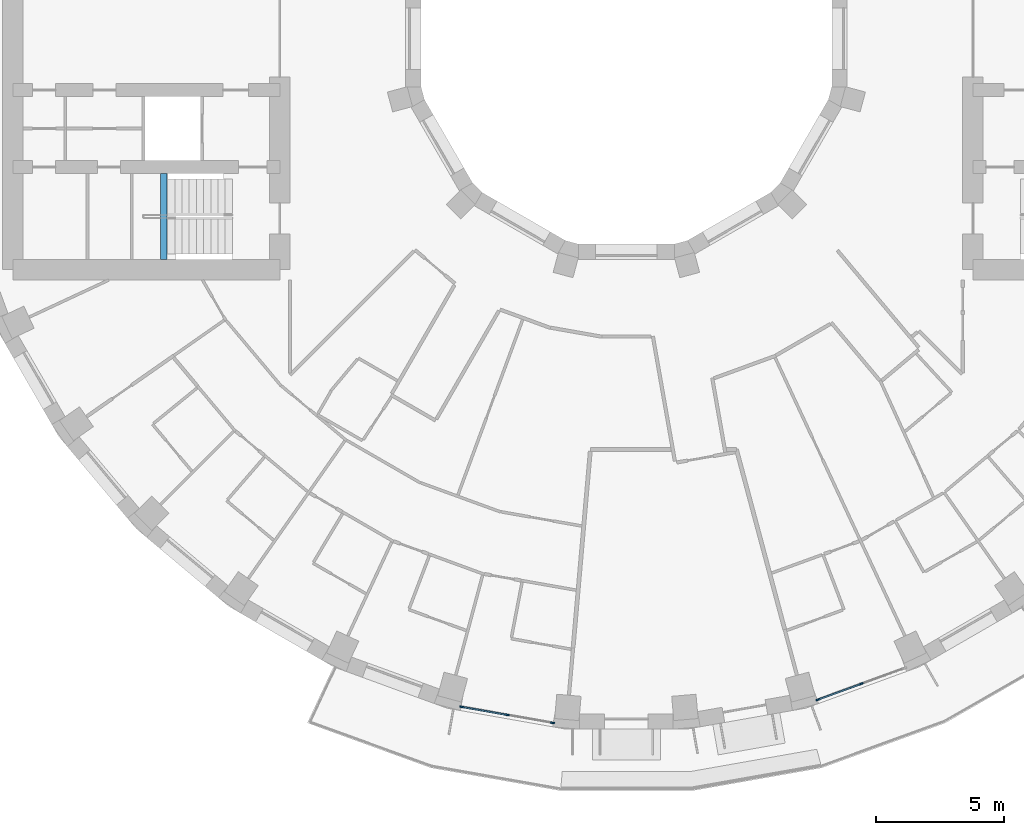
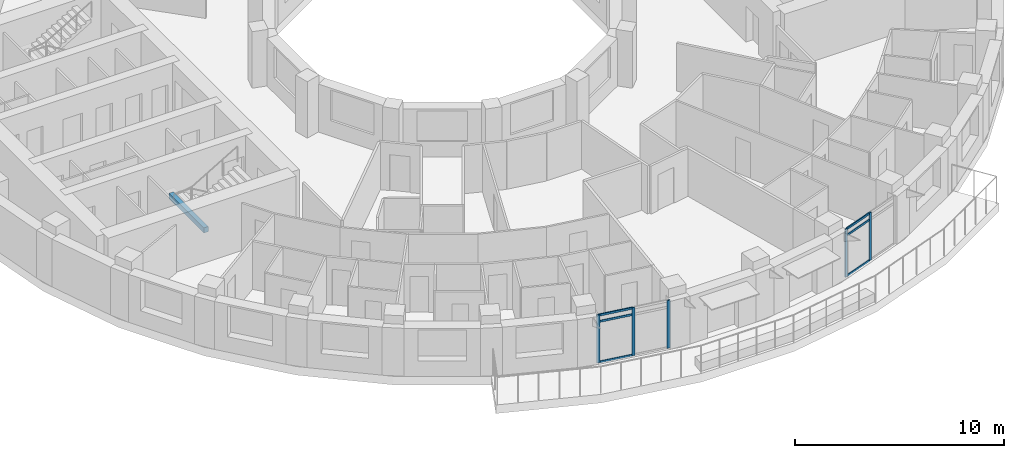
# One storey, part 2 of 16: 11 members, 1 beam, 2 elements without a shape of their own.
"""IFC4 building model written with IfcOpenShell, lengths in metres."""

from ifc_helpers import new_model, si_unit, direction, frame, origin, origin_2d, place, context, subcontext, project, spatial, rectangle, extrude, material, layer, layer_set, material_profile, profile_set, type_object, element, aggregate, save


model = new_model("IFC4")

# Units and contexts
model_context = context("Model", 3, precision=1e-05, world=origin(), true_north=direction((0.0, 1.0)))
body_context = subcontext(model_context, "Body", "Model", "MODEL_VIEW")
ifc_project = project(units=[si_unit("LENGTHUNIT", "METRE"), si_unit("AREAUNIT", "SQUARE_METRE"), si_unit("VOLUMEUNIT", "CUBIC_METRE"), si_unit("PLANEANGLEUNIT", "RADIAN"), si_unit("MASSUNIT", "GRAM", prefix="KILO")], contexts=[model_context])

# Site, building, storey
site_placement = place(None, origin())
site = spatial("IfcSite", under=ifc_project, at=site_placement, CompositionType="ELEMENT")
building_placement = place(site_placement, origin())
building = spatial("IfcBuilding", under=site, at=building_placement, Name="Saqina Gate Tower", CompositionType="ELEMENT")
storey_placement = place(building_placement, frame((0.0, 0.0, 141.39990234375)))
storey = spatial("IfcBuildingStorey", under=building, at=storey_placement, Name="L40", CompositionType="ELEMENT", Elevation=141.39990234375)

# Curtain wall, members
ifc_material_1 = material(Name="Aluminium glazing", Category="aluminium")
ifc_layer = layer(ifc_material_1, 0.159912109375)
ifc_layer_set = layer_set([ifc_layer], Name="CWT-4")
curtain_wall_type = type_object("IfcCurtainWallType", Name="CWT-4", PredefinedType="NOTDEFINED", material=ifc_layer_set)
curtain_wall_1_placement = place(storey_placement, origin())
curtain_wall_1 = element("IfcCurtainWall", 1, at=curtain_wall_1_placement, inside=storey, type_object=curtain_wall_type, Name="Terrace lounge glazing facet 26", PredefinedType="NOTDEFINED")
ifc_material_2 = material(Name="Aluminium", Category="aluminium")
ifc_material_profile_1 = material_profile(ifc_material_2, rectangle(XDim=0.06005859375, YDim=0.159912109375, at=origin_2d()), Name="Aluminium 60x160")
ifc_profile_set_1 = profile_set([ifc_material_profile_1], Name="Aluminium")
member_type_1 = type_object("IfcMemberType", Name="CWT-4M", PredefinedType="MULLION", material=ifc_profile_set_1)
member_1_placement = place(storey_placement, frame((-6.411376953125, -26.029296875, 0.0), z_axis=(0.0, 0.0, 1.0), x_axis=(0.17363832834, 0.984809489664, 0.0)))
member_1 = element("IfcMember", 2, at=member_1_placement, type_object=member_type_1, Name="CW4-26 mullion 1", PredefinedType="MULLION", context=body_context, shape_type="SweptSolid", body=[
    extrude(rectangle(XDim=0.06005859375, YDim=0.159912109375, at=origin_2d()), origin(), (0.0, 0.0, 1.0), 2.800048828125),
])
member_2_placement = place(storey_placement, frame((-4.64453125, -26.3408203125, 0.0), z_axis=(0.0, 0.0, 1.0), x_axis=(0.17363832834, 0.984809489664, 0.0)))
member_2 = element("IfcMember", 3, at=member_2_placement, type_object=member_type_1, Name="CW4-26 mullion 2", PredefinedType="MULLION", context=body_context, shape_type="SweptSolid", body=[
    extrude(rectangle(XDim=0.06005859375, YDim=0.159912109375, at=origin_2d()), origin(), (0.0, 0.0, 1.0), 2.800048828125),
])
member_3_placement = place(storey_placement, frame((-2.8779296875, -26.65234375, 0.0), z_axis=(0.0, 0.0, 1.0), x_axis=(0.17363832834, 0.984809489664, 0.0)))
member_3 = element("IfcMember", 4, at=member_3_placement, type_object=member_type_1, Name="CW4-26 mullion 3", PredefinedType="MULLION", context=body_context, shape_type="SweptSolid", body=[
    extrude(rectangle(XDim=0.06005859375, YDim=0.159912109375, at=origin_2d()), origin(), (0.0, 0.0, 1.0), 2.800048828125),
])

curtain_wall_2_placement = place(storey_placement, origin())
curtain_wall_2 = element("IfcCurtainWall", 5, at=curtain_wall_2_placement, inside=storey, type_object=curtain_wall_type, Name="Terrace lounge glazing facet 29", PredefinedType="NOTDEFINED")
member_4_placement = place(storey_placement, frame((7.46240234375, -25.747802734375, 0.0), z_axis=(0.0, 0.0, 1.0), x_axis=(-0.342015987197, 0.939694133483, 0.0)))
member_4 = element("IfcMember", 6, at=member_4_placement, type_object=member_type_1, Name="CW4-29 mullion 1", PredefinedType="MULLION", context=body_context, shape_type="SweptSolid", body=[
    extrude(rectangle(XDim=0.06005859375, YDim=0.159912109375, at=origin_2d()), origin(), (0.0, 0.0, 1.0), 2.800048828125),
])
member_5_placement = place(storey_placement, frame((9.148193359375, -25.13427734375, 0.0), z_axis=(0.0, 0.0, 1.0), x_axis=(-0.342015987197, 0.939694133483, 0.0)))
member_5 = element("IfcMember", 7, at=member_5_placement, type_object=member_type_1, Name="CW4-29 mullion 2", PredefinedType="MULLION", context=body_context, shape_type="SweptSolid", body=[
    extrude(rectangle(XDim=0.06005859375, YDim=0.159912109375, at=origin_2d()), origin(), (0.0, 0.0, 1.0), 2.800048828125),
])

# Member
ifc_material_3 = material(Name="Aluminium", Category="aluminium")
ifc_material_profile_2 = material_profile(ifc_material_3, rectangle(XDim=0.06005859375, YDim=0.1201171875, at=origin_2d()), Name="Aluminium 60x120")
ifc_profile_set_2 = profile_set([ifc_material_profile_2], Name="Aluminium")
member_type_2 = type_object("IfcMemberType", Name="CWT-4T", PredefinedType="USERDEFINED", material=ifc_profile_set_2)
member_6_placement = place(storey_placement, frame((-6.381591796875, -26.03466796875, 0.030029296875), z_axis=(0.98481331257, -0.173616644895, 0.0), x_axis=(0.173616644895, 0.98481331257, 0.0)))
member_6 = element("IfcMember", 8, at=member_6_placement, type_object=member_type_2, Name="CW4-26 transom 1.1", ObjectType="TRANSOM", PredefinedType="USERDEFINED", context=body_context, shape_type="SweptSolid", body=[
    extrude(rectangle(XDim=0.06005859375, YDim=0.1201171875, at=origin_2d()), origin(), (0.0, 0.0, 1.0), 1.73388671875),
])

member_7_placement = place(storey_placement, frame((-6.381591796875, -26.03466796875, 2.400146484375), z_axis=(0.98481331257, -0.173616644895, 0.0), x_axis=(0.173616644895, 0.98481331257, 0.0)))
member_7 = element("IfcMember", 9, at=member_7_placement, type_object=member_type_2, Name="CW4-26 transom 1.2", ObjectType="TRANSOM", PredefinedType="USERDEFINED", context=body_context, shape_type="SweptSolid", body=[
    extrude(rectangle(XDim=0.06005859375, YDim=0.1201171875, at=origin_2d()), origin(), (0.0, 0.0, 1.0), 1.73388671875),
])

member_8_placement = place(storey_placement, frame((-6.381591796875, -26.03466796875, 2.77001953125), z_axis=(0.98481331257, -0.173616644895, 0.0), x_axis=(0.173616644895, 0.98481331257, 0.0)))
member_8 = element("IfcMember", 10, at=member_8_placement, type_object=member_type_2, Name="CW4-26 transom 1.3", ObjectType="TRANSOM", PredefinedType="USERDEFINED", context=body_context, shape_type="SweptSolid", body=[
    extrude(rectangle(XDim=0.06005859375, YDim=0.1201171875, at=origin_2d()), origin(), (0.0, 0.0, 1.0), 1.73388671875),
])

aggregate(curtain_wall_1, [member_1, member_2, member_3, member_6, member_7, member_8])

member_9_placement = place(storey_placement, frame((7.490478515625, -25.737548828125, 0.030029296875), z_axis=(0.93969883573, 0.342003067424, 0.0), x_axis=(-0.342003067424, 0.93969883573, 0.0)))
member_9 = element("IfcMember", 11, at=member_9_placement, type_object=member_type_2, Name="CW4-29 transom 1.1", ObjectType="TRANSOM", PredefinedType="USERDEFINED", context=body_context, shape_type="SweptSolid", body=[
    extrude(rectangle(XDim=0.06005859375, YDim=0.1201171875, at=origin_2d()), origin(), (0.0, 0.0, 1.0), 1.73388671875),
])

member_10_placement = place(storey_placement, frame((7.490478515625, -25.737548828125, 2.400146484375), z_axis=(0.93969883573, 0.342003067424, 0.0), x_axis=(-0.342003067424, 0.93969883573, 0.0)))
member_10 = element("IfcMember", 12, at=member_10_placement, type_object=member_type_2, Name="CW4-29 transom 1.2", ObjectType="TRANSOM", PredefinedType="USERDEFINED", context=body_context, shape_type="SweptSolid", body=[
    extrude(rectangle(XDim=0.06005859375, YDim=0.1201171875, at=origin_2d()), origin(), (0.0, 0.0, 1.0), 1.73388671875),
])

member_11_placement = place(storey_placement, frame((7.490478515625, -25.737548828125, 2.77001953125), z_axis=(0.93969883573, 0.342003067424, 0.0), x_axis=(-0.342003067424, 0.93969883573, 0.0)))
member_11 = element("IfcMember", 13, at=member_11_placement, type_object=member_type_2, Name="CW4-29 transom 1.3", ObjectType="TRANSOM", PredefinedType="USERDEFINED", context=body_context, shape_type="SweptSolid", body=[
    extrude(rectangle(XDim=0.06005859375, YDim=0.1201171875, at=origin_2d()), origin(), (0.0, 0.0, 1.0), 1.73388671875),
])

aggregate(curtain_wall_2, [member_4, member_5, member_9, member_10, member_11])

# Beam
ifc_material_4 = material(Name="Concrete C40/50", Category="concrete")
ifc_material_profile_3 = material_profile(ifc_material_4, rectangle(XDim=0.25, YDim=0.300048828125, at=origin_2d()), Name="STAIR LANDING BEAM")
ifc_profile_set_3 = profile_set([ifc_material_profile_3], Name="Concrete C40/50")
beam_type = type_object("IfcBeamType", Name="STAIR LANDING BEAM", PredefinedType="BEAM", material=ifc_profile_set_3)
beam_placement = place(storey_placement, frame((-18.02001953125, -8.60009765625, 1.25), z_axis=(0.0, 1.0, 0.0), x_axis=(-1.0, 0.0, 0.0)))
element("IfcBeam", 14, at=beam_placement, inside=storey, type_object=beam_type, Name="EXIT STAIR 4 LANDING BEAM", PredefinedType="BEAM", context=body_context, shape_type="SweptSolid", body=[
    extrude(rectangle(XDim=0.25, YDim=0.300048828125, at=origin_2d()), origin(), (0.0, 0.0, 1.0), 3.35009765625),
])

save(model, "model.ifc")
